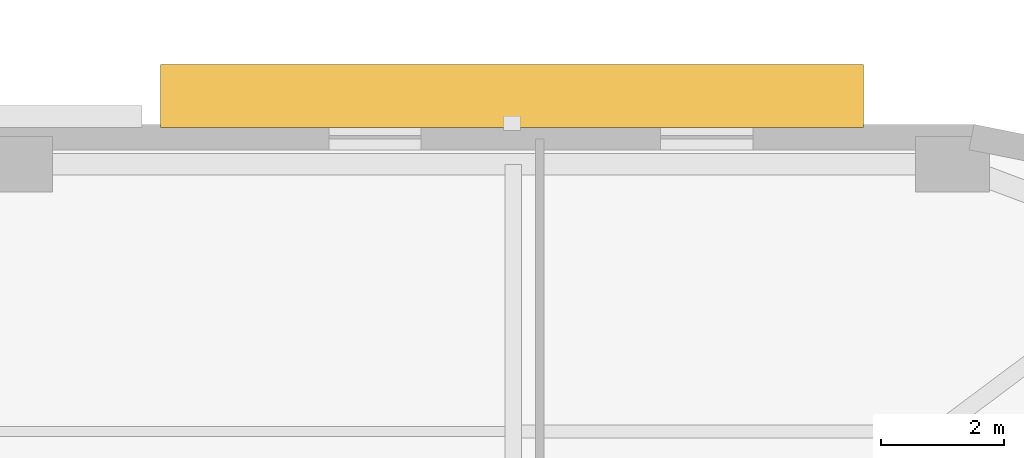
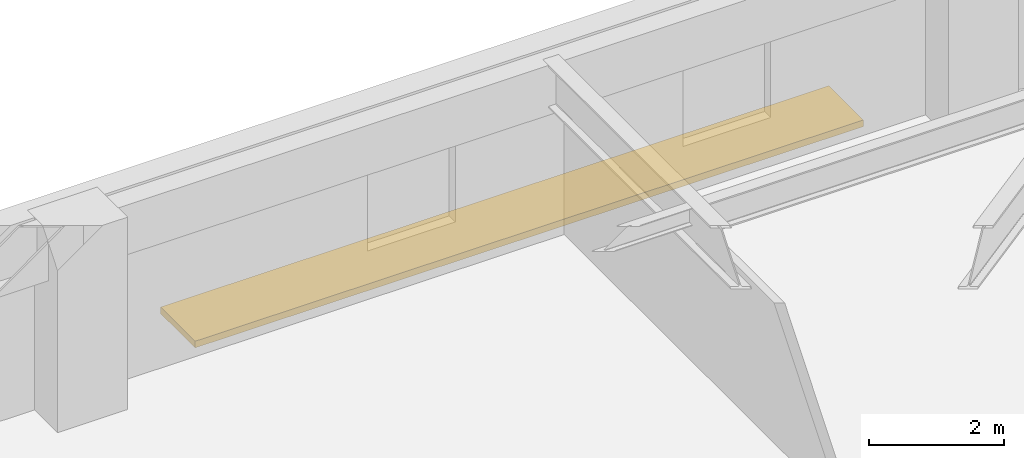
# One storey, part 14 of 14: 1 shading device.
"""IFC4 building model written with IfcOpenShell, lengths in metres."""

from ifc_helpers import new_model, si_unit, direction, frame, origin, origin_2d, place, context, subcontext, project, spatial, rectangle, extrude, material, type_object, element, save


model = new_model("IFC4")

# Units and contexts
model_context = context("Model", 3, precision=1e-05, world=origin(), true_north=direction((0.0, 1.0)))
body_context = subcontext(model_context, "Body", "Model", "MODEL_VIEW")
ifc_project = project(units=[si_unit("LENGTHUNIT", "METRE"), si_unit("AREAUNIT", "SQUARE_METRE"), si_unit("VOLUMEUNIT", "CUBIC_METRE"), si_unit("PLANEANGLEUNIT", "RADIAN"), si_unit("MASSUNIT", "GRAM", prefix="KILO")], contexts=[model_context])

# Site, building, storey
site_placement = place(None, origin())
site = spatial("IfcSite", under=ifc_project, at=site_placement, CompositionType="ELEMENT")
building_placement = place(site_placement, origin())
building = spatial("IfcBuilding", under=site, at=building_placement, Name="Kolvaren Arena Tower", CompositionType="ELEMENT")
storey_placement = place(building_placement, frame((0.0, 0.0, 79.5)))
storey = spatial("IfcBuildingStorey", under=building, at=storey_placement, Name="L17", CompositionType="ELEMENT", Elevation=79.5)

# Shading device
ifc_material = material(Name="Architectural precast GFRC and anodised aluminium sunshade", Category="concrete")
shading_device_type = type_object("IfcShadingDeviceType", Name="SHAD-SINE-A", PredefinedType="USERDEFINED", material=ifc_material)
shading_device_placement = place(storey_placement, frame((60.330078125, 49.9619140625, -0.14013671875), z_axis=(0.0, 0.0, 1.0), x_axis=(1.0, 0.0, 0.0)))
element("IfcShadingDevice", 1, at=shading_device_placement, inside=storey, type_object=shading_device_type, Name="Sinusoidal Slab-Edge Sunshade Louvre (L17)", ObjectType="LOUVRE", PredefinedType="USERDEFINED", context=body_context, shape_type="SweptSolid", body=[
    extrude(rectangle(XDim=11.43994140625, YDim=1.023681640625, at=origin_2d()), origin(), (0.0, 0.0, 1.0), 0.1201171875),
])

save(model, "model.ifc")
